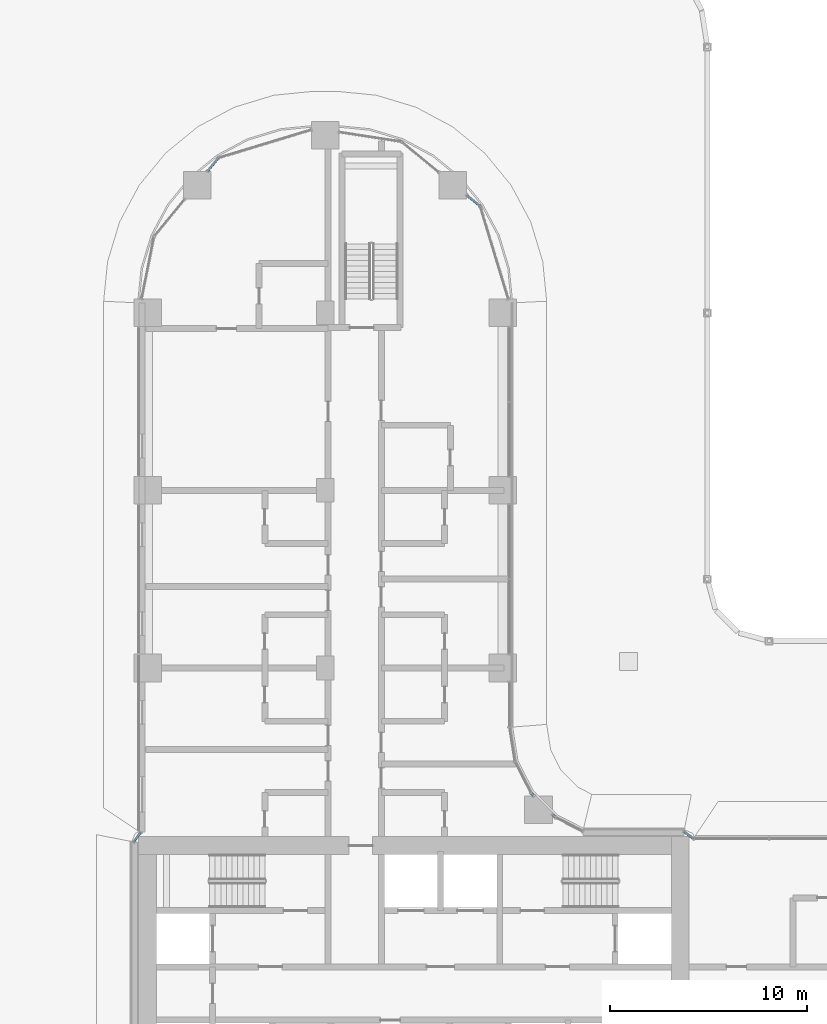
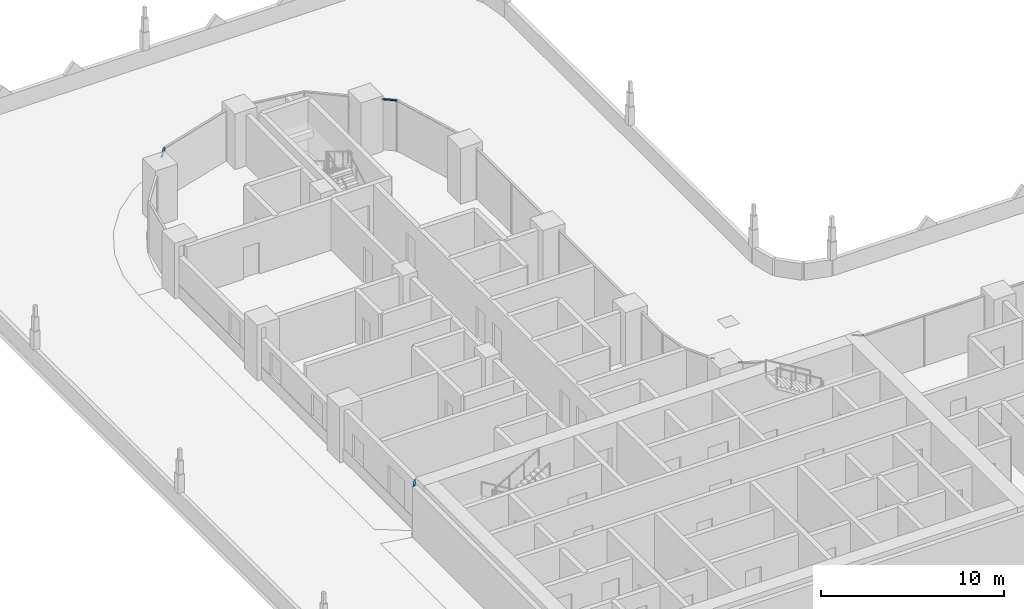
# One storey, part 12 of 51: 6 members, 6 elements without a shape of their own.
"""IFC4 building model written with IfcOpenShell, lengths in metres."""

import ifcopenshell
import ifcopenshell.guid

model = None  # the IFC model being written
_history = None  # IfcOwnerHistory: only IFC2X3 demands one
_inside = {}  # id of a spatial element -> (the spatial element, [elements in it])
_under = {}  # id of a project, library or spatial element -> (it, [spatial elements below it])
_declared = {}  # id of a project -> (the project, [libraries it declares])
_typed = {}  # id of a type object -> (the type object, [elements of that type])
_made_of = {}  # id of a material, layer set ... -> (it, [elements and type objects made of it])


def new_model(schema):
    """Start an empty IFC model of exactly this schema.

    Asked for "IFC4X3", IfcOpenShell would pick the latest addendum, in which some entities
    have other attributes; the version numbers below select the first issue.
    IFC2X3 requires an IfcOwnerHistory on every rooted entity: one is made here for all.
    """
    global model, _history
    if schema == "IFC4X3":
        model = ifcopenshell.file(schema_version=(4, 3, 0, 0))
    else:
        model = ifcopenshell.file(schema=schema)
    _inside.clear()
    _under.clear()
    _declared.clear()
    _typed.clear()
    _made_of.clear()
    _history = None
    if model.schema == "IFC2X3":
        org = make("IfcOrganization", Name="unknown")
        user = make(
            "IfcPersonAndOrganization",
            ThePerson=make("IfcPerson", FamilyName="unknown"),
            TheOrganization=org,
        )
        app = make(
            "IfcApplication",
            ApplicationDeveloper=org,
            Version="unknown",
            ApplicationFullName="unknown",
            ApplicationIdentifier="unknown",
        )
        _history = make(
            "IfcOwnerHistory",
            OwningUser=user,
            OwningApplication=app,
            ChangeAction="ADDED",
            CreationDate=0,
        )
    return model


def make(cls, **values):
    """One entity of the class cls with the attributes given. An attribute that is None is left unset."""
    return model.create_entity(
        cls, **{name: value for name, value in values.items() if value is not None}
    )


def rooted(cls, **values):
    """An entity with a GlobalId (a new one), such as an element, a storey or a relation."""
    return make(cls, GlobalId=ifcopenshell.guid.new(), OwnerHistory=_history, **values)


def si_unit(unit_type, name, prefix=None):
    """IfcSIUnit, for example si_unit("LENGTHUNIT", "METRE", prefix="MILLI")."""
    return make("IfcSIUnit", UnitType=unit_type, Prefix=prefix, Name=name)


def assignment(units):
    """IfcUnitAssignment: the units of a project."""
    return None if units is None else make("IfcUnitAssignment", Units=units)


def point(xyz):
    """IfcCartesianPoint."""
    return None if xyz is None else make("IfcCartesianPoint", Coordinates=xyz)


def direction(xyz):
    """IfcDirection."""
    return None if xyz is None else make("IfcDirection", DirectionRatios=xyz)


def frame(location, z_axis=None, x_axis=None):
    """IfcAxis2Placement3D, a coordinate frame: its origin and axes. An axis left out is left unset."""
    return make(
        "IfcAxis2Placement3D",
        Location=point(location),
        Axis=direction(z_axis),
        RefDirection=direction(x_axis),
    )


def frame_2d(location, x_axis=None):
    """IfcAxis2Placement2D, a coordinate frame in the plane: its origin and x axis."""
    return make(
        "IfcAxis2Placement2D", Location=point(location), RefDirection=direction(x_axis)
    )


def origin():
    """The frame at (0, 0, 0) with its axes left unset."""
    return frame((0.0, 0.0, 0.0))


def origin_2d():
    """The frame at (0, 0) in the plane with its x axis left unset."""
    return frame_2d((0.0, 0.0))


def place(relative_to, where):
    """IfcLocalPlacement: puts the frame where relative to a parent placement (None: the world)."""
    return make(
        "IfcLocalPlacement", PlacementRelTo=relative_to, RelativePlacement=where
    )


def context(
    kind, dimensions, precision=None, world=None, true_north=None, identifier=None
):
    """IfcGeometricRepresentationContext, for example the 3D "Model" context."""
    return make(
        "IfcGeometricRepresentationContext",
        ContextIdentifier=identifier,
        ContextType=kind,
        CoordinateSpaceDimension=dimensions,
        Precision=precision,
        WorldCoordinateSystem=world,
        TrueNorth=true_north,
    )


def subcontext(parent, identifier, kind, view, scale=None):
    """IfcGeometricRepresentationSubContext, for example "Body" below "Model"."""
    return make(
        "IfcGeometricRepresentationSubContext",
        ContextIdentifier=identifier,
        ContextType=kind,
        ParentContext=parent,
        TargetScale=scale,
        TargetView=view,
    )


def project(units=None, contexts=None):
    """IfcProject with its units and contexts."""
    return rooted(
        "IfcProject",
        Name="project",
        RepresentationContexts=contexts,
        UnitsInContext=assignment(units),
    )


def spatial(cls, under=None, at=None, **own):
    """A site, building, storey or space (cls), placed at a placement, below another one or the project."""
    s = rooted(cls, ObjectPlacement=at, **own)
    if under is not None:
        _under.setdefault(under.id(), (under, []))[1].append(s)
    return s


def profile(cls, at=None, kind="AREA", **sizes):
    """A parametric profile (cls). Its sizes go by their IFC names, for example OverallWidth=200.0."""
    return make(cls, ProfileType=kind, Position=at, **sizes)


def rectangle(**sizes):
    """IfcRectangleProfileDef."""
    return profile("IfcRectangleProfileDef", **sizes)


def extrude(swept, where, along, depth):
    """IfcExtrudedAreaSolid: the profile swept, set in the frame where, extruded along a direction by depth."""
    return make(
        "IfcExtrudedAreaSolid",
        SweptArea=swept,
        Position=where,
        ExtrudedDirection=direction(along),
        Depth=depth,
    )


def shape(context_of_items, identifier, shape_type, items):
    """IfcShapeRepresentation: the items that make up one representation, for example the "Body"."""
    return make(
        "IfcShapeRepresentation",
        ContextOfItems=context_of_items,
        RepresentationIdentifier=identifier,
        RepresentationType=shape_type,
        Items=items,
    )


def material(Name=None, Category=None):
    """IfcMaterial."""
    return make("IfcMaterial", Name=Name, Category=Category)


def material_profile(
    of_material, cross_section, Name=None, Category=None, Priority=None
):
    """IfcMaterialProfile: a cross section and its material."""
    return make(
        "IfcMaterialProfile",
        Name=Name,
        Material=of_material,
        Profile=cross_section,
        Priority=Priority,
        Category=Category,
    )


def profile_set(profiles, Name=None, composite=None):
    """IfcMaterialProfileSet."""
    return make(
        "IfcMaterialProfileSet",
        Name=Name,
        MaterialProfiles=profiles,
        CompositeProfile=composite,
    )


def made_of(thing, what):
    """Note that an element or type object is made of a material, layer set ...; save() writes the relation."""
    if what is not None:
        _made_of.setdefault(what.id(), (what, []))[1].append(thing)
    return thing


def type_object(cls, material=None, **own):
    """A type object (cls), such as IfcWallType, which elements share."""
    return made_of(rooted(cls, **own), material)


def element(
    cls,
    number,
    at=None,
    inside=None,
    cuts=None,
    type_object=None,
    material=None,
    context=None,
    identifier="Body",
    shape_type=None,
    held_by="IfcProductDefinitionShape",
    body=None,
    shapes=None,
    **own,
):
    """One element of the class cls, such as IfcWall. Its Tag is "e" and its number.

    at: its placement. inside: the storey or other place that contains it. cuts: it is an
    opening in that element (IfcRelVoidsElement). A single representation is given by context,
    identifier, shape_type and body (its items); several are given by shapes. held_by: the class
    of the entity that holds the representations. save() writes the other relations.
    """
    e = rooted(cls, Tag="e%d" % number, ObjectPlacement=at, **own)
    if body is not None:
        shapes = [shape(context, identifier, shape_type, body)]
    if shapes is not None:
        e.Representation = make(held_by, Representations=shapes)
    if inside is not None:
        _inside.setdefault(inside.id(), (inside, []))[1].append(e)
    if cuts is not None:
        rooted(
            "IfcRelVoidsElement", RelatingBuildingElement=cuts, RelatedOpeningElement=e
        )
    if type_object is not None:
        _typed.setdefault(type_object.id(), (type_object, []))[1].append(e)
    return made_of(e, material)


def aggregate(whole, parts):
    """IfcRelAggregates: a whole, such as a stair, and the parts it consists of."""
    return rooted("IfcRelAggregates", RelatingObject=whole, RelatedObjects=parts)


def save(model, path):
    """Write the relations noted so far, then the file.

    IfcRelAggregates (storeys below a building ...), IfcRelContainedInSpatialStructure (elements
    in a storey), IfcRelDefinesByType, IfcRelAssociatesMaterial and IfcRelDeclares: one each for
    every whole, place, type object, material and project.
    """
    for whole, parts in _under.values():
        aggregate(whole, parts)
    for where, things in _inside.values():
        rooted(
            "IfcRelContainedInSpatialStructure",
            RelatedElements=things,
            RelatingStructure=where,
        )
    for kind, things in _typed.values():
        rooted("IfcRelDefinesByType", RelatedObjects=things, RelatingType=kind)
    for what, things in _made_of.values():
        rooted("IfcRelAssociatesMaterial", RelatedObjects=things, RelatingMaterial=what)
    for by, libraries in _declared.values():
        rooted("IfcRelDeclares", RelatingContext=by, RelatedDefinitions=libraries)
    model.write(path)


model = new_model("IFC4")

# Units and contexts
model_context = context("Model", 3, precision=1e-05, world=origin(), true_north=direction((0.0, 1.0)))
body_context = subcontext(model_context, "Body", "Model", "MODEL_VIEW")
ifc_project = project(units=[si_unit("LENGTHUNIT", "METRE"), si_unit("AREAUNIT", "SQUARE_METRE"), si_unit("VOLUMEUNIT", "CUBIC_METRE"), si_unit("PLANEANGLEUNIT", "RADIAN"), si_unit("MASSUNIT", "GRAM", prefix="KILO")], contexts=[model_context])

# Site, building, storey
site_placement = place(None, origin())
site = spatial("IfcSite", under=ifc_project, at=site_placement, CompositionType="ELEMENT")
building_placement = place(site_placement, origin())
building = spatial("IfcBuilding", under=site, at=building_placement, Name="Ogive Portal Towers", CompositionType="ELEMENT")
storey_placement = place(building_placement, frame((0.0, 0.0, 33.5)))
storey = spatial("IfcBuildingStorey", under=building, at=storey_placement, Name="L06", CompositionType="ELEMENT", Elevation=33.5)

# Curtain wall, member
ifc_material_1 = material(Name="Glass, clear low-iron insulated glazing", Category="glass")
curtain_wall_type = type_object("IfcCurtainWallType", Name="CW FRONT RIBBON 4500", PredefinedType="NOTDEFINED", material=ifc_material_1)
curtain_wall_1_placement = place(storey_placement, origin())
curtain_wall_1 = element("IfcCurtainWall", 1, at=curtain_wall_1_placement, inside=storey, type_object=curtain_wall_type, Name="A:L06:f00:cwa", PredefinedType="NOTDEFINED")
ifc_material_2 = material(Name="Aluminium 6063 anodised", Category="aluminium")
ifc_material_profile = material_profile(ifc_material_2, rectangle(XDim=0.1201171875, YDim=0.06005859375, at=origin_2d()), Name="AL 120x60")
ifc_profile_set = profile_set([ifc_material_profile], Name="Aluminium 6063 anodised")
member_type = type_object("IfcMemberType", Name="CW TRANSOM 60x120", PredefinedType="USERDEFINED", material=ifc_profile_set)
member_1_placement = place(storey_placement, frame((59.180419921875, 39.844970703125, 3.3701171875), z_axis=(-0.803886334656, 0.594782952809, 0.0), x_axis=(-0.594782952809, -0.803886334656, 0.0)))
member_1 = element("IfcMember", 2, at=member_1_placement, type_object=member_type, Name="transom", ObjectType="TRANSOM", PredefinedType="USERDEFINED", context=body_context, shape_type="SweptSolid", body=[
    extrude(rectangle(XDim=0.1201171875, YDim=0.06005859375, at=origin_2d()), origin(), (0.0, 0.0, 1.0), 0.63037109375),
])
aggregate(curtain_wall_1, [member_1])

curtain_wall_2_placement = place(storey_placement, origin())
curtain_wall_2 = element("IfcCurtainWall", 3, at=curtain_wall_2_placement, inside=storey, type_object=curtain_wall_type, Name="A:L06:f02:cwa~0", PredefinedType="NOTDEFINED")
member_2_placement = place(storey_placement, frame((52.175537109375, 40.92431640625, 3.3701171875), z_axis=(-0.707628438503, 0.706584738741, 0.0), x_axis=(-0.706584738741, -0.707628438503, 0.0)))
member_2 = element("IfcMember", 4, at=member_2_placement, type_object=member_type, Name="transom", ObjectType="TRANSOM", PredefinedType="USERDEFINED", context=body_context, shape_type="SweptSolid", body=[
    extrude(rectangle(XDim=0.1201171875, YDim=0.06005859375, at=origin_2d()), origin(), (0.0, 0.0, 1.0), 0.23388671875),
])
aggregate(curtain_wall_2, [member_2])

curtain_wall_3_placement = place(storey_placement, origin())
curtain_wall_3 = element("IfcCurtainWall", 5, at=curtain_wall_3_placement, inside=storey, type_object=curtain_wall_type, Name="A:L06:f02:cwa~1", PredefinedType="NOTDEFINED")
member_3_placement = place(storey_placement, frame((51.089599609375, 42.010009765625, 3.3701171875), z_axis=(-0.706584738741, 0.707628438503, 0.0), x_axis=(-0.707628438503, -0.706584738741, 0.0)))
member_3 = element("IfcMember", 6, at=member_3_placement, type_object=member_type, Name="transom", ObjectType="TRANSOM", PredefinedType="USERDEFINED", context=body_context, shape_type="SweptSolid", body=[
    extrude(rectangle(XDim=0.1201171875, YDim=0.06005859375, at=origin_2d()), origin(), (0.0, 0.0, 1.0), 0.23388671875),
])
aggregate(curtain_wall_3, [member_3])

curtain_wall_4_placement = place(storey_placement, origin())
curtain_wall_4 = element("IfcCurtainWall", 7, at=curtain_wall_4_placement, inside=storey, type_object=curtain_wall_type, Name="A:L06:f07:cwa~0", PredefinedType="NOTDEFINED")
member_4_placement = place(storey_placement, frame((48.351318359375, 71.912109375, 3.3701171875), z_axis=(-0.772989395532, 0.634418942337, 0.0), x_axis=(-0.634418942337, -0.772989395532, 0.0)))
member_4 = element("IfcMember", 8, at=member_4_placement, type_object=member_type, Name="transom", ObjectType="TRANSOM", PredefinedType="USERDEFINED", context=body_context, shape_type="SweptSolid", body=[
    extrude(rectangle(XDim=0.1201171875, YDim=0.06005859375, at=origin_2d()), origin(), (0.0, 0.0, 1.0), 0.87744140625),
])
aggregate(curtain_wall_4, [member_4])

curtain_wall_5_placement = place(storey_placement, origin())
curtain_wall_5 = element("IfcCurtainWall", 9, at=curtain_wall_5_placement, inside=storey, type_object=curtain_wall_type, Name="A:L06:f07:cwa~2", PredefinedType="NOTDEFINED")
member_5_placement = place(storey_placement, frame((35.087890625, 74.351318359375, 3.3701171875), z_axis=(-0.634418942337, -0.772989395532, 0.0), x_axis=(0.772989395532, -0.634418942337, 0.0)))
member_5 = element("IfcMember", 10, at=member_5_placement, type_object=member_type, Name="transom", ObjectType="TRANSOM", PredefinedType="USERDEFINED", context=body_context, shape_type="SweptSolid", body=[
    extrude(rectangle(XDim=0.1201171875, YDim=0.06005859375, at=origin_2d()), origin(), (0.0, 0.0, 1.0), 0.87744140625),
])
aggregate(curtain_wall_5, [member_5])

curtain_wall_6_placement = place(storey_placement, origin())
curtain_wall_6 = element("IfcCurtainWall", 11, at=curtain_wall_6_placement, inside=storey, type_object=curtain_wall_type, Name="A:L06:f14:cwa", PredefinedType="NOTDEFINED")
member_6_placement = place(storey_placement, frame((31.155029296875, 40.180419921875, 3.3701171875), z_axis=(-0.594782952809, -0.803886334656, 0.0), x_axis=(0.803886334656, -0.594782952809, 0.0)))
member_6 = element("IfcMember", 12, at=member_6_placement, type_object=member_type, Name="transom", ObjectType="TRANSOM", PredefinedType="USERDEFINED", context=body_context, shape_type="SweptSolid", body=[
    extrude(rectangle(XDim=0.1201171875, YDim=0.06005859375, at=origin_2d()), origin(), (0.0, 0.0, 1.0), 0.63037109375),
])
aggregate(curtain_wall_6, [member_6])

save(model, "model.ifc")
